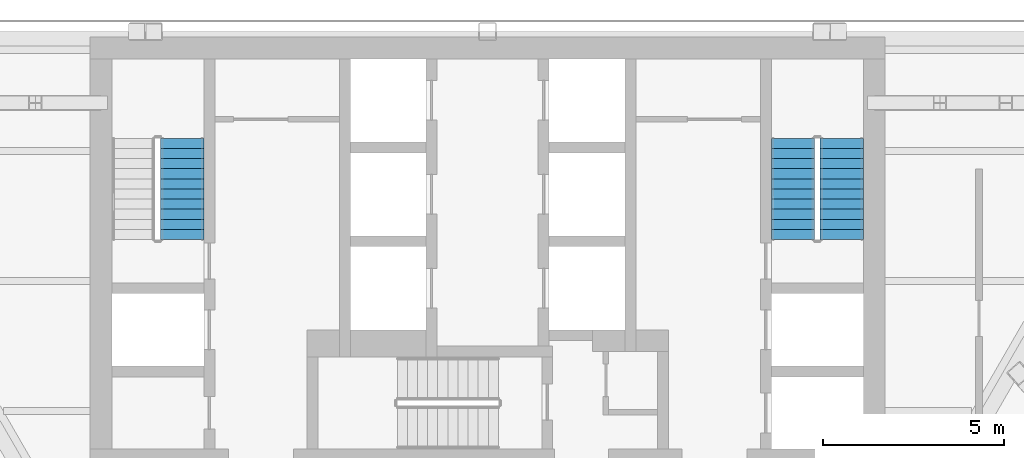
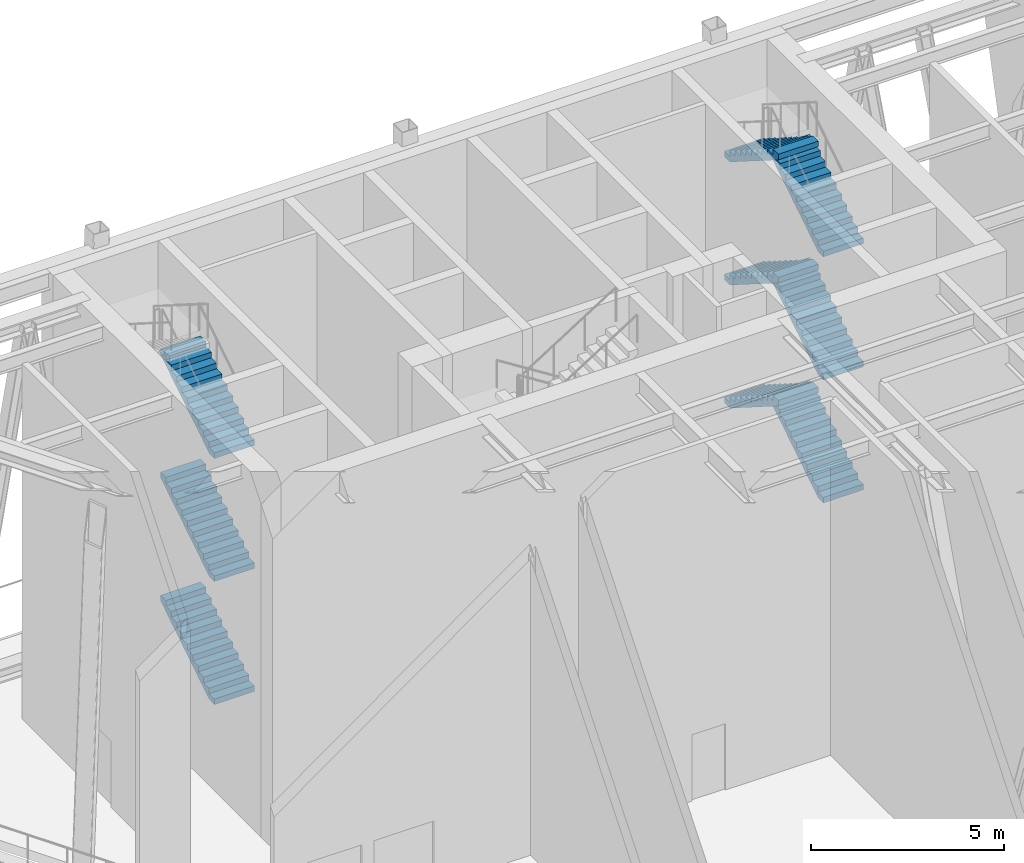
# One storey, part 5 of 11: 9 stair flights, 2 elements without a shape of their own.
"""IFC4 building model written with IfcOpenShell, lengths in metres."""

from ifc_helpers import new_model, si_unit, direction, frame, origin, place, context, subcontext, project, spatial, polyline, outline, extrude, material, type_object, element, aggregate, save


model = new_model("IFC4")

# Units and contexts
model_context = context("Model", 3, precision=1e-05, world=origin(), true_north=direction((0.0, 1.0)))
body_context = subcontext(model_context, "Body", "Model", "MODEL_VIEW")
ifc_project = project(units=[si_unit("LENGTHUNIT", "METRE"), si_unit("AREAUNIT", "SQUARE_METRE"), si_unit("VOLUMEUNIT", "CUBIC_METRE"), si_unit("PLANEANGLEUNIT", "RADIAN"), si_unit("MASSUNIT", "GRAM", prefix="KILO")], contexts=[model_context])

# Site, building, storey
site_placement = place(None, origin())
site = spatial("IfcSite", under=ifc_project, at=site_placement, CompositionType="ELEMENT")
building_placement = place(site_placement, origin())
building = spatial("IfcBuilding", under=site, at=building_placement, Name="Aloe Facet Convention Tower", CompositionType="ELEMENT")
storey_placement = place(building_placement, frame((0.0, 0.0, 227.0)))
storey = spatial("IfcBuildingStorey", under=building, at=storey_placement, Name="L57", CompositionType="ELEMENT", Elevation=227.0)

# Stair, stair flights
ifc_material_1 = material(Name="Concrete C50/60", Category="concrete")
stair_type = type_object("IfcStairType", Name="CR-ST-66R", PredefinedType="HALF_TURN_STAIR", material=ifc_material_1)
stair_1_placement = place(storey_placement, origin())
stair_1 = element("IfcStair", 1, at=stair_1_placement, inside=storey, type_object=stair_type, Name="L57 Protected exit stair ST1", PredefinedType="HALF_TURN_STAIR")
ifc_material_2 = material(Name="Concrete C50/60", Category="concrete")
stair_flight_type = type_object("IfcStairFlightType", Name="CR-SFL-66R", PredefinedType="STRAIGHT", material=ifc_material_2)
stair_flight_1_placement = place(storey_placement, frame((71.550048828125, 128.949951171875, 0.0), z_axis=(0.0, 0.0, 1.0), x_axis=(0.0, 1.0, 0.0)))
stair_flight_1 = element("IfcStairFlight", 2, at=stair_flight_1_placement, type_object=stair_flight_type, Name="ST1 flight 1", NumberOfRisers=11, NumberOfTreads=10, PredefinedType="STRAIGHT", RiserHeight=0.177272727, TreadLength=0.28, context=body_context, shape_type="SweptSolid", body=[
    extrude(outline(polyline([(0.0, 0.0), (0.0, 0.17724609375), (0.280029296875, 0.17724609375), (0.280029296875, 0.3544921875), (0.56005859375, 0.3544921875), (0.56005859375, 0.53173828125), (0.840087890625, 0.53173828125), (0.840087890625, 0.708984375), (1.1201171875, 0.708984375), (1.1201171875, 0.886474609375), (1.39990234375, 0.886474609375), (1.39990234375, 1.063720703125), (1.679931640625, 1.063720703125), (1.679931640625, 1.240966796875), (1.9599609375, 1.240966796875), (1.9599609375, 1.418212890625), (2.239990234375, 1.418212890625), (2.239990234375, 1.595458984375), (2.52001953125, 1.595458984375), (2.52001953125, 1.772705078125), (2.800048828125, 1.772705078125), (2.800048828125, 1.949951171875), (2.800048828125, 1.59521484375), (0.2802734375, 0.0), (0.0, 0.0)])), frame((0.0, 0.60009765625, 0.0), z_axis=(0.0, -1.0, 0.0), x_axis=(1.0, 0.0, 0.0)), (0.0, 0.0, 1.0), 1.199951171875),
])
stair_flight_2_placement = place(storey_placement, frame((71.550048828125, 128.949951171875, 3.89990234375), z_axis=(0.0, 0.0, 1.0), x_axis=(0.0, 1.0, 0.0)))
stair_flight_2 = element("IfcStairFlight", 3, at=stair_flight_2_placement, type_object=stair_flight_type, Name="ST1 flight 3", NumberOfRisers=11, NumberOfTreads=10, PredefinedType="STRAIGHT", RiserHeight=0.177272727, TreadLength=0.28, context=body_context, shape_type="SweptSolid", body=[
    extrude(outline(polyline([(0.0, 0.0), (0.0, 0.17724609375), (0.280029296875, 0.17724609375), (0.280029296875, 0.3544921875), (0.56005859375, 0.3544921875), (0.56005859375, 0.53173828125), (0.840087890625, 0.53173828125), (0.840087890625, 0.708984375), (1.1201171875, 0.708984375), (1.1201171875, 0.886474609375), (1.39990234375, 0.886474609375), (1.39990234375, 1.063720703125), (1.679931640625, 1.063720703125), (1.679931640625, 1.240966796875), (1.9599609375, 1.240966796875), (1.9599609375, 1.418212890625), (2.239990234375, 1.418212890625), (2.239990234375, 1.595458984375), (2.52001953125, 1.595458984375), (2.52001953125, 1.772705078125), (2.800048828125, 1.772705078125), (2.800048828125, 1.949951171875), (2.800048828125, 1.59521484375), (0.2802734375, 0.0), (0.0, 0.0)])), frame((0.0, 0.60009765625, 0.0), z_axis=(0.0, -1.0, 0.0), x_axis=(1.0, 0.0, 0.0)), (0.0, 0.0, 1.0), 1.199951171875),
])
stair_flight_3_placement = place(storey_placement, frame((71.550048828125, 128.949951171875, 7.800048828125), z_axis=(0.0, 0.0, 1.0), x_axis=(0.0, 1.0, 0.0)))
stair_flight_3 = element("IfcStairFlight", 4, at=stair_flight_3_placement, type_object=stair_flight_type, Name="ST1 flight 5", NumberOfRisers=11, NumberOfTreads=10, PredefinedType="STRAIGHT", RiserHeight=0.177272727, TreadLength=0.28, context=body_context, shape_type="SweptSolid", body=[
    extrude(outline(polyline([(0.0, 0.0), (0.0, 0.17724609375), (0.280029296875, 0.17724609375), (0.280029296875, 0.3544921875), (0.56005859375, 0.3544921875), (0.56005859375, 0.53173828125), (0.840087890625, 0.53173828125), (0.840087890625, 0.708984375), (1.1201171875, 0.708984375), (1.1201171875, 0.886474609375), (1.39990234375, 0.886474609375), (1.39990234375, 1.063720703125), (1.679931640625, 1.063720703125), (1.679931640625, 1.240966796875), (1.9599609375, 1.240966796875), (1.9599609375, 1.418212890625), (2.239990234375, 1.418212890625), (2.239990234375, 1.595458984375), (2.52001953125, 1.595458984375), (2.52001953125, 1.772705078125), (2.800048828125, 1.772705078125), (2.800048828125, 1.949951171875), (2.800048828125, 1.59521484375), (0.2802734375, 0.0), (0.0, 0.0)])), frame((0.0, 0.60009765625, 0.0), z_axis=(0.0, -1.0, 0.0), x_axis=(1.0, 0.0, 0.0)), (0.0, 0.0, 1.0), 1.199951171875),
])
aggregate(stair_1, [stair_flight_1, stair_flight_2, stair_flight_3])

stair_2_placement = place(storey_placement, origin())
stair_2 = element("IfcStair", 5, at=stair_2_placement, inside=storey, type_object=stair_type, Name="L57 Protected exit stair ST2", PredefinedType="HALF_TURN_STAIR")
stair_flight_4_placement = place(storey_placement, frame((89.800048828125, 128.949951171875, 0.0), z_axis=(0.0, 0.0, 1.0), x_axis=(0.0, 1.0, 0.0)))
stair_flight_4 = element("IfcStairFlight", 6, at=stair_flight_4_placement, type_object=stair_flight_type, Name="ST2 flight 1", NumberOfRisers=11, NumberOfTreads=10, PredefinedType="STRAIGHT", RiserHeight=0.177272727, TreadLength=0.28, context=body_context, shape_type="SweptSolid", body=[
    extrude(outline(polyline([(0.0, 0.0), (0.0, 0.17724609375), (0.280029296875, 0.17724609375), (0.280029296875, 0.3544921875), (0.56005859375, 0.3544921875), (0.56005859375, 0.53173828125), (0.840087890625, 0.53173828125), (0.840087890625, 0.708984375), (1.1201171875, 0.708984375), (1.1201171875, 0.886474609375), (1.39990234375, 0.886474609375), (1.39990234375, 1.063720703125), (1.679931640625, 1.063720703125), (1.679931640625, 1.240966796875), (1.9599609375, 1.240966796875), (1.9599609375, 1.418212890625), (2.239990234375, 1.418212890625), (2.239990234375, 1.595458984375), (2.52001953125, 1.595458984375), (2.52001953125, 1.772705078125), (2.800048828125, 1.772705078125), (2.800048828125, 1.949951171875), (2.800048828125, 1.59521484375), (0.2802734375, 0.0), (0.0, 0.0)])), frame((0.0, 0.60009765625, 0.0), z_axis=(0.0, -1.0, 0.0), x_axis=(1.0, 0.0, 0.0)), (0.0, 0.0, 1.0), 1.199951171875),
])
stair_flight_5_placement = place(storey_placement, frame((88.449951171875, 131.75, 1.949951171875), z_axis=(0.0, 0.0, 1.0), x_axis=(0.0, -1.0, 0.0)))
stair_flight_5 = element("IfcStairFlight", 7, at=stair_flight_5_placement, type_object=stair_flight_type, Name="ST2 flight 2", NumberOfRisers=11, NumberOfTreads=10, PredefinedType="STRAIGHT", RiserHeight=0.177272727, TreadLength=0.28, context=body_context, shape_type="SweptSolid", body=[
    extrude(outline(polyline([(0.0, 0.0), (0.0, 0.17724609375), (0.280029296875, 0.17724609375), (0.280029296875, 0.3544921875), (0.56005859375, 0.3544921875), (0.56005859375, 0.53173828125), (0.840087890625, 0.53173828125), (0.840087890625, 0.708984375), (1.1201171875, 0.708984375), (1.1201171875, 0.886474609375), (1.39990234375, 0.886474609375), (1.39990234375, 1.063720703125), (1.679931640625, 1.063720703125), (1.679931640625, 1.240966796875), (1.9599609375, 1.240966796875), (1.9599609375, 1.418212890625), (2.239990234375, 1.418212890625), (2.239990234375, 1.595458984375), (2.52001953125, 1.595458984375), (2.52001953125, 1.772705078125), (2.800048828125, 1.772705078125), (2.800048828125, 1.949951171875), (2.800048828125, 1.59521484375), (0.2802734375, 0.0), (0.0, 0.0)])), frame((0.0, 0.60009765625, 0.0), z_axis=(0.0, -1.0, 0.0), x_axis=(1.0, 0.0, 0.0)), (0.0, 0.0, 1.0), 1.199951171875),
])
stair_flight_6_placement = place(storey_placement, frame((89.800048828125, 128.949951171875, 3.89990234375), z_axis=(0.0, 0.0, 1.0), x_axis=(0.0, 1.0, 0.0)))
stair_flight_6 = element("IfcStairFlight", 8, at=stair_flight_6_placement, type_object=stair_flight_type, Name="ST2 flight 3", NumberOfRisers=11, NumberOfTreads=10, PredefinedType="STRAIGHT", RiserHeight=0.177272727, TreadLength=0.28, context=body_context, shape_type="SweptSolid", body=[
    extrude(outline(polyline([(0.0, 0.0), (0.0, 0.17724609375), (0.280029296875, 0.17724609375), (0.280029296875, 0.3544921875), (0.56005859375, 0.3544921875), (0.56005859375, 0.53173828125), (0.840087890625, 0.53173828125), (0.840087890625, 0.708984375), (1.1201171875, 0.708984375), (1.1201171875, 0.886474609375), (1.39990234375, 0.886474609375), (1.39990234375, 1.063720703125), (1.679931640625, 1.063720703125), (1.679931640625, 1.240966796875), (1.9599609375, 1.240966796875), (1.9599609375, 1.418212890625), (2.239990234375, 1.418212890625), (2.239990234375, 1.595458984375), (2.52001953125, 1.595458984375), (2.52001953125, 1.772705078125), (2.800048828125, 1.772705078125), (2.800048828125, 1.949951171875), (2.800048828125, 1.59521484375), (0.2802734375, 0.0), (0.0, 0.0)])), frame((0.0, 0.60009765625, 0.0), z_axis=(0.0, -1.0, 0.0), x_axis=(1.0, 0.0, 0.0)), (0.0, 0.0, 1.0), 1.199951171875),
])
stair_flight_7_placement = place(storey_placement, frame((88.449951171875, 131.75, 5.85009765625), z_axis=(0.0, 0.0, 1.0), x_axis=(0.0, -1.0, 0.0)))
stair_flight_7 = element("IfcStairFlight", 9, at=stair_flight_7_placement, type_object=stair_flight_type, Name="ST2 flight 4", NumberOfRisers=11, NumberOfTreads=10, PredefinedType="STRAIGHT", RiserHeight=0.177272727, TreadLength=0.28, context=body_context, shape_type="SweptSolid", body=[
    extrude(outline(polyline([(0.0, 0.0), (0.0, 0.17724609375), (0.280029296875, 0.17724609375), (0.280029296875, 0.3544921875), (0.56005859375, 0.3544921875), (0.56005859375, 0.53173828125), (0.840087890625, 0.53173828125), (0.840087890625, 0.708984375), (1.1201171875, 0.708984375), (1.1201171875, 0.886474609375), (1.39990234375, 0.886474609375), (1.39990234375, 1.063720703125), (1.679931640625, 1.063720703125), (1.679931640625, 1.240966796875), (1.9599609375, 1.240966796875), (1.9599609375, 1.418212890625), (2.239990234375, 1.418212890625), (2.239990234375, 1.595458984375), (2.52001953125, 1.595458984375), (2.52001953125, 1.772705078125), (2.800048828125, 1.772705078125), (2.800048828125, 1.949951171875), (2.800048828125, 1.59521484375), (0.2802734375, 0.0), (0.0, 0.0)])), frame((0.0, 0.60009765625, 0.0), z_axis=(0.0, -1.0, 0.0), x_axis=(1.0, 0.0, 0.0)), (0.0, 0.0, 1.0), 1.199951171875),
])
stair_flight_8_placement = place(storey_placement, frame((89.800048828125, 128.949951171875, 7.800048828125), z_axis=(0.0, 0.0, 1.0), x_axis=(0.0, 1.0, 0.0)))
stair_flight_8 = element("IfcStairFlight", 10, at=stair_flight_8_placement, type_object=stair_flight_type, Name="ST2 flight 5", NumberOfRisers=11, NumberOfTreads=10, PredefinedType="STRAIGHT", RiserHeight=0.177272727, TreadLength=0.28, context=body_context, shape_type="SweptSolid", body=[
    extrude(outline(polyline([(0.0, 0.0), (0.0, 0.17724609375), (0.280029296875, 0.17724609375), (0.280029296875, 0.3544921875), (0.56005859375, 0.3544921875), (0.56005859375, 0.53173828125), (0.840087890625, 0.53173828125), (0.840087890625, 0.708984375), (1.1201171875, 0.708984375), (1.1201171875, 0.886474609375), (1.39990234375, 0.886474609375), (1.39990234375, 1.063720703125), (1.679931640625, 1.063720703125), (1.679931640625, 1.240966796875), (1.9599609375, 1.240966796875), (1.9599609375, 1.418212890625), (2.239990234375, 1.418212890625), (2.239990234375, 1.595458984375), (2.52001953125, 1.595458984375), (2.52001953125, 1.772705078125), (2.800048828125, 1.772705078125), (2.800048828125, 1.949951171875), (2.800048828125, 1.59521484375), (0.2802734375, 0.0), (0.0, 0.0)])), frame((0.0, 0.60009765625, 0.0), z_axis=(0.0, -1.0, 0.0), x_axis=(1.0, 0.0, 0.0)), (0.0, 0.0, 1.0), 1.199951171875),
])
stair_flight_9_placement = place(storey_placement, frame((88.449951171875, 131.75, 9.75), z_axis=(0.0, 0.0, 1.0), x_axis=(0.0, -1.0, 0.0)))
stair_flight_9 = element("IfcStairFlight", 11, at=stair_flight_9_placement, type_object=stair_flight_type, Name="ST2 flight 6", NumberOfRisers=11, NumberOfTreads=10, PredefinedType="STRAIGHT", RiserHeight=0.177272727, TreadLength=0.28, context=body_context, shape_type="SweptSolid", body=[
    extrude(outline(polyline([(0.0, 0.0), (0.0, 0.17724609375), (0.280029296875, 0.17724609375), (0.280029296875, 0.3544921875), (0.56005859375, 0.3544921875), (0.56005859375, 0.53173828125), (0.840087890625, 0.53173828125), (0.840087890625, 0.708984375), (1.1201171875, 0.708984375), (1.1201171875, 0.886474609375), (1.39990234375, 0.886474609375), (1.39990234375, 1.063720703125), (1.679931640625, 1.063720703125), (1.679931640625, 1.240966796875), (1.9599609375, 1.240966796875), (1.9599609375, 1.418212890625), (2.239990234375, 1.418212890625), (2.239990234375, 1.595458984375), (2.52001953125, 1.595458984375), (2.52001953125, 1.772705078125), (2.800048828125, 1.772705078125), (2.800048828125, 1.949951171875), (2.800048828125, 1.59521484375), (0.2802734375, 0.0), (0.0, 0.0)])), frame((0.0, 0.60009765625, 0.0), z_axis=(0.0, -1.0, 0.0), x_axis=(1.0, 0.0, 0.0)), (0.0, 0.0, 1.0), 1.199951171875),
])
aggregate(stair_2, [stair_flight_4, stair_flight_5, stair_flight_6, stair_flight_7, stair_flight_8, stair_flight_9])

save(model, "model.ifc")
